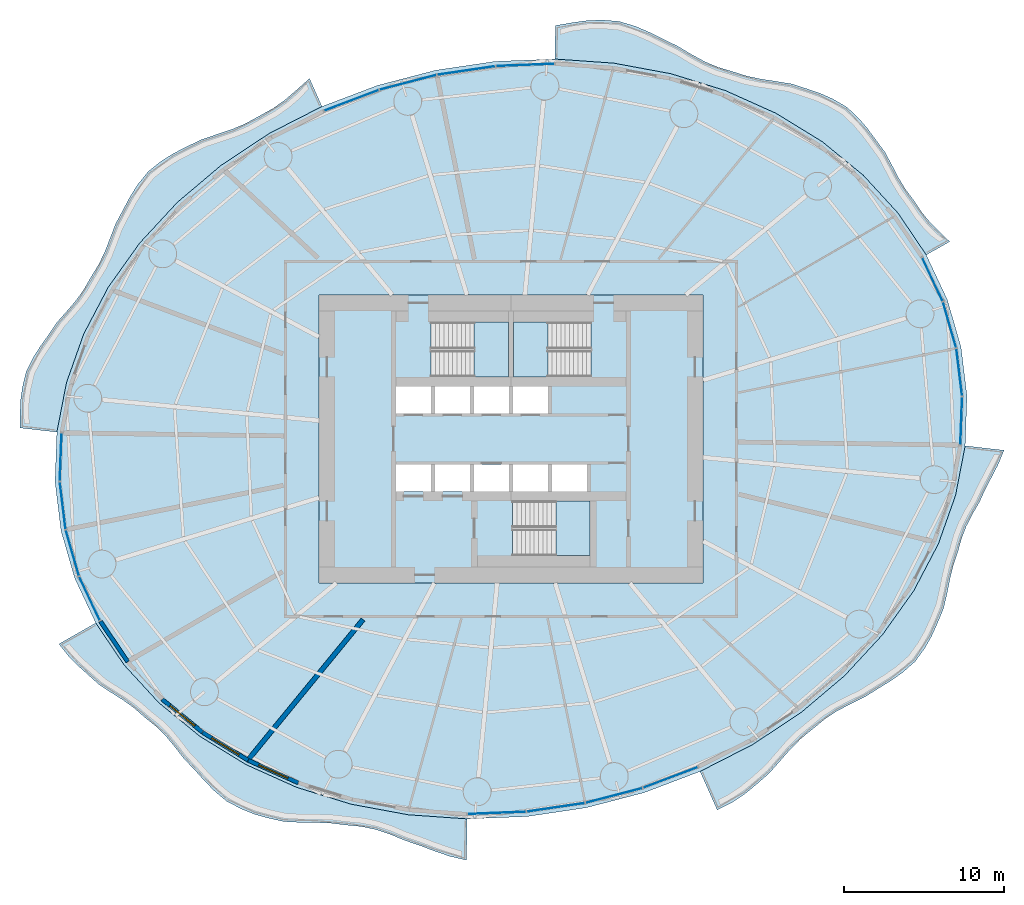
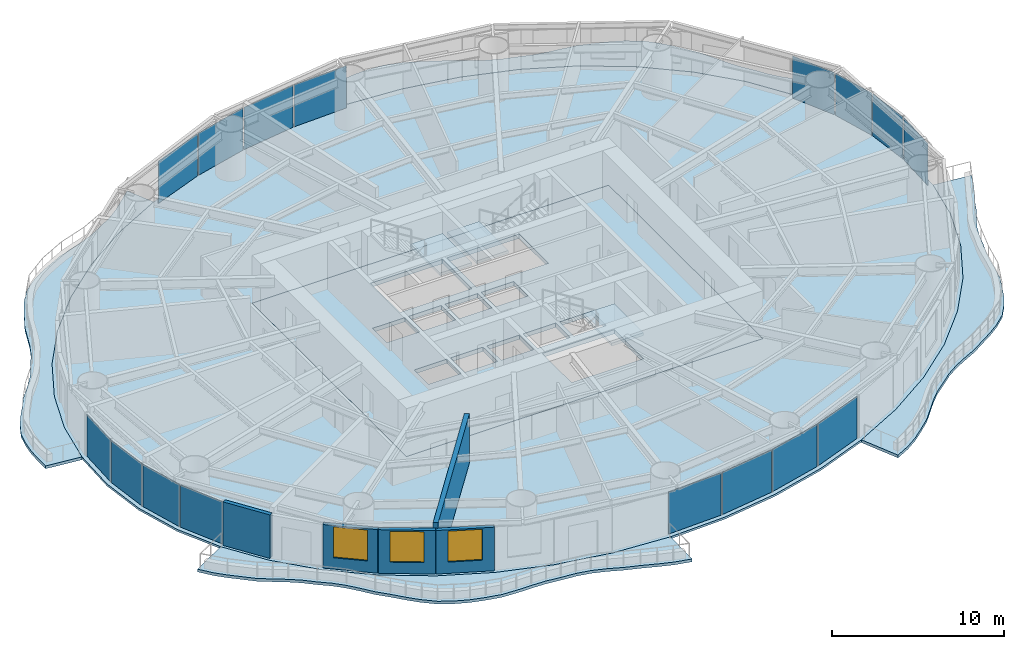
# One storey, part 7 of 16: 16 plates, 9 slabs, 5 walls, 3 windows, 3 openings, 19 elements without a shape of their own.
"""IFC4 building model written with IfcOpenShell, lengths in metres."""

from ifc_helpers import new_model, si_unit, direction, frame, frame_2d, origin, origin_2d, place, context, subcontext, project, spatial, polyline, rectangle, outline, extrude, material, layer, layer_set, type_object, element, fill, aggregate, save


model = new_model("IFC4")

# Units and contexts
model_context = context("Model", 3, precision=1e-05, world=origin(), true_north=direction((0.0, 1.0)))
body_context = subcontext(model_context, "Body", "Model", "MODEL_VIEW")
ifc_project = project(units=[si_unit("LENGTHUNIT", "METRE"), si_unit("AREAUNIT", "SQUARE_METRE"), si_unit("VOLUMEUNIT", "CUBIC_METRE"), si_unit("PLANEANGLEUNIT", "RADIAN"), si_unit("MASSUNIT", "GRAM", prefix="KILO")], contexts=[model_context])

# Site, building, storey
site_placement = place(None, origin())
site = spatial("IfcSite", under=ifc_project, at=site_placement, CompositionType="ELEMENT")
building_placement = place(site_placement, origin())
building = spatial("IfcBuilding", under=site, at=building_placement, Name="Vermilion Reach Broadcast Tower", CompositionType="ELEMENT")
storey_placement = place(building_placement, frame((0.0, 0.0, 80.39990234375)))
storey = spatial("IfcBuildingStorey", under=building, at=storey_placement, Name="L17", CompositionType="ELEMENT", Elevation=80.39990234375)

# Slabs
ifc_material_1 = material(Name="Concrete C40/50", Category="concrete")
ifc_layer_1 = layer(ifc_material_1, 0.199951171875)
ifc_layer_set_1 = layer_set([ifc_layer_1], Name="Balcony slab 200")
slab_type_1 = type_object("IfcSlabType", Name="Balcony slab 200", PredefinedType="FLOOR", material=ifc_layer_set_1)
placement_1 = place(storey_placement, frame((0.0, 0.0, -0.199951171875)))
element("IfcSlab", 1, at=placement_1, inside=storey, type_object=slab_type_1, Name="Balcony slab L17 group 1", PredefinedType="FLOOR", context=body_context, shape_type="SweptSolid", body=[
    extrude(outline(polyline([(19.962890625, 11.50732421875), (18.19775390625, 14.1220703125), (16.0185546875, 16.495361328125), (13.46240234375, 18.58642578125), (10.573486328125, 20.359375), (7.40087890625, 21.783935546875), (3.9990234375, 22.8359375), (0.42626953125, 23.4970703125), (-3.256591796875, 23.756103515625), (-3.224609375, 25.848388671875), (-2.171142578125, 26.03271484375), (-1.23681640625, 26.16162109375), (-0.30908203125, 26.196044921875), (0.7587890625, 26.110107421875), (1.776611328125, 25.802734375), (2.6328125, 25.436279296875), (3.478759765625, 25.015625), (4.423828125, 24.560791015625), (5.301513671875, 24.03466796875), (6.0986328125, 23.598876953125), (6.922119140625, 23.248779296875), (7.850341796875, 22.97412109375), (8.759033203125, 22.68603515625), (9.63037109375, 22.50390625), (10.523681640625, 22.370849609375), (11.546875, 22.20068359375), (12.508544921875, 21.89208984375), (13.330322265625, 21.611083984375), (14.112548828125, 21.265625), (14.999755859375, 20.74853515625), (15.73486328125, 20.06005859375), (16.27978515625, 19.42236328125), (16.78564453125, 18.737060546875), (17.378662109375, 17.935546875), (17.840087890625, 17.074462890625), (18.225830078125, 16.335205078125), (18.650634765625, 15.631591796875), (19.192626953125, 14.90771484375), (19.680908203125, 14.171875), (20.18359375, 13.5595703125), (20.74658203125, 12.98779296875), (21.427978515625, 12.33935546875), (19.962890625, 11.50732421875)])), origin(), (0.0, 0.0, 1.0), 0.199951171875),
])
element("IfcSlab", 2, at=placement_1, inside=storey, type_object=slab_type_1, Name="Balcony slab L17 group 2", PredefinedType="FLOOR", context=body_context, shape_type="SweptSolid", body=[
    extrude(outline(polyline([(-17.822021484375, 20.78759765625), (-21.109619140625, 19.107666015625), (-24.138916015625, 17.100830078125), (-26.857666015625, 14.801513671875), (-29.2197265625, 12.2490234375), (-31.184326171875, 9.486572265625), (-32.718017578125, 6.562255859375), (-33.79443359375, 3.525390625), (-34.3955078125, 0.42822265625), (-36.701416015625, 0.693115234375), (-36.694091796875, 1.677734375), (-36.658203125, 2.47412109375), (-36.546142578125, 3.255859375), (-36.316650390625, 4.212890625), (-35.8662109375, 5.1142578125), (-35.419189453125, 5.810546875), (-34.9326171875, 6.49267578125), (-34.389404296875, 7.292236328125), (-33.738525390625, 8.029541015625), (-33.189208984375, 8.673828125), (-32.702880859375, 9.350830078125), (-32.2529296875, 10.142822265625), (-31.76318359375, 10.938232421875), (-31.392578125, 11.714599609375), (-31.07568359375, 12.529296875), (-30.717529296875, 13.46630859375), (-30.234375, 14.372314453125), (-29.810546875, 15.164794921875), (-29.33837890625, 15.912353515625), (-28.69091796875, 16.71826171875), (-27.868896484375, 17.375732421875), (-27.106201171875, 17.8525390625), (-26.291748046875, 18.267822265625), (-25.354736328125, 18.721923828125), (-24.34716796875, 19.060302734375), (-23.45556640625, 19.359130859375), (-22.60205078125, 19.715576171875), (-21.74267578125, 20.191162109375), (-20.8720703125, 20.671142578125), (-20.11279296875, 21.213623046875), (-19.39208984375, 21.83154296875), (-18.599853515625, 22.541015625), (-17.822021484375, 20.78759765625)])), origin(), (0.0, 0.0, 1.0), 0.199951171875),
])
element("IfcSlab", 3, at=placement_1, inside=storey, type_object=slab_type_1, Name="Balcony slab L17 group 3", PredefinedType="FLOOR", context=body_context, shape_type="SweptSolid", body=[
    extrude(outline(polyline([(-31.962890625, -11.50732421875), (-30.19775390625, -14.1220703125), (-28.0185546875, -16.495361328125), (-25.46240234375, -18.58642578125), (-22.573486328125, -20.359375), (-19.40087890625, -21.783935546875), (-15.9990234375, -22.8359375), (-12.42626953125, -23.4970703125), (-8.743408203125, -23.756103515625), (-8.782958984375, -26.33837890625), (-9.8330078125, -26.093017578125), (-10.736572265625, -25.784423828125), (-11.6376953125, -25.442138671875), (-12.630615234375, -25.103515625), (-13.5751953125, -24.71337890625), (-14.445068359375, -24.4228515625), (-15.334228515625, -24.23486328125), (-16.31982421875, -24.138671875), (-17.296875, -24.019775390625), (-18.21826171875, -23.98583984375), (-19.148193359375, -23.97998046875), (-20.208251953125, -23.922607421875), (-21.212646484375, -23.696044921875), (-22.058349609375, -23.45703125), (-22.865478515625, -23.1318359375), (-23.783203125, -22.64794921875), (-24.568115234375, -21.989501953125), (-25.177490234375, -21.3623046875), (-25.76806640625, -20.704345703125), (-26.456298828125, -19.984130859375), (-27.0478515625, -19.220458984375), (-27.586669921875, -18.5751953125), (-28.175537109375, -17.990966796875), (-28.890380859375, -17.418701171875), (-29.5654296875, -16.822265625), (-30.232666015625, -16.34130859375), (-30.937744140625, -15.895263671875), (-31.761962890625, -15.357177734375), (-32.47998046875, -14.711181640625), (-33.088623046875, -14.17041015625), (-33.651123046875, -13.5986328125), (-34.26806640625, -12.81640625), (-31.962890625, -11.50732421875)])), origin(), (0.0, 0.0, 1.0), 0.199951171875),
])
element("IfcSlab", 4, at=placement_1, inside=storey, type_object=slab_type_1, Name="Balcony slab L17 group 4", PredefinedType="FLOOR", context=body_context, shape_type="SweptSolid", body=[
    extrude(outline(polyline([(5.822021484375, -20.78759765625), (9.109619140625, -19.107666015625), (12.138916015625, -17.100830078125), (14.857666015625, -14.801513671875), (17.2197265625, -12.2490234375), (19.184326171875, -9.486572265625), (20.718017578125, -6.562255859375), (21.79443359375, -3.525390625), (22.3955078125, -0.42822265625), (24.823486328125, -0.70703125), (24.442626953125, -1.62890625), (24.064453125, -2.35888671875), (23.6796875, -3.087646484375), (23.294189453125, -3.93408203125), (22.822998046875, -4.74462890625), (22.45654296875, -5.46923828125), (22.16796875, -6.2216796875), (21.928466796875, -7.0908203125), (21.631103515625, -7.97314453125), (21.4326171875, -8.80126953125), (21.265625, -9.64599609375), (21.0341796875, -10.622314453125), (20.64208984375, -11.5634765625), (20.28662109375, -12.3505859375), (19.864013671875, -13.08984375), (19.26708984375, -13.912841796875), (18.484130859375, -14.603515625), (17.756103515625, -15.1142578125), (16.987060546875, -15.58740234375), (16.126953125, -16.128662109375), (15.198486328125, -16.5830078125), (14.39111328125, -17.0068359375), (13.638427734375, -17.49560546875), (12.89501953125, -18.10888671875), (12.12841796875, -18.72998046875), (11.474365234375, -19.387451171875), (10.85546875, -20.09814453125), (10.1533203125, -20.89404296875), (9.346435546875, -21.599609375), (8.615966796875, -22.19873046875), (7.843505859375, -22.71533203125), (6.89208984375, -23.199951171875), (5.822021484375, -20.78759765625)])), origin(), (0.0, 0.0, 1.0), 0.199951171875),
])
ifc_material_2 = material(Name="Concrete C40", Category="concrete")
ifc_layer_2 = layer(ifc_material_2, 0.300048828125)
ifc_layer_set_2 = layer_set([ifc_layer_2], Name="Core floor slab 300 mm Concrete C40")
slab_type_2 = type_object("IfcSlabType", Name="Core floor slab 300 mm Concrete C40", PredefinedType="FLOOR", material=ifc_layer_set_2)
slab_5_placement = place(storey_placement, frame((0.0, 0.0, -0.2998046875)))
element("IfcSlab", 5, at=slab_5_placement, inside=storey, type_object=slab_type_2, Name="L17 core floor", PredefinedType="FLOOR", context=body_context, shape_type="SweptSolid", body=[
    extrude(outline(polyline([(-18.0, -9.0), (6.0, -9.0), (6.0, 9.0), (-18.0, 9.0), (-18.0, -9.0)]), holes=[polyline([(-13.199951171875, 1.60009765625), (-11.00830078125, 1.60009765625), (-11.00830078125, 3.280029296875), (-13.199951171875, 3.280029296875), (-13.199951171875, 1.60009765625)]), polyline([(-10.75830078125, 1.60009765625), (-8.566650390625, 1.60009765625), (-8.566650390625, 3.280029296875), (-10.75830078125, 3.280029296875), (-10.75830078125, 1.60009765625)]), polyline([(-8.316650390625, 1.60009765625), (-6.125, 1.60009765625), (-6.125, 3.280029296875), (-8.316650390625, 3.280029296875), (-8.316650390625, 1.60009765625)]), polyline([(-5.875, 1.60009765625), (-3.683349609375, 1.60009765625), (-3.683349609375, 3.280029296875), (-5.875, 3.280029296875), (-5.875, 1.60009765625)]), polyline([(-13.199951171875, -3.280029296875), (-11.00830078125, -3.280029296875), (-11.00830078125, -1.60009765625), (-13.199951171875, -1.60009765625), (-13.199951171875, -3.280029296875)]), polyline([(-10.75830078125, -3.280029296875), (-8.566650390625, -3.280029296875), (-8.566650390625, -1.60009765625), (-10.75830078125, -1.60009765625), (-10.75830078125, -3.280029296875)]), polyline([(-8.316650390625, -3.280029296875), (-6.125, -3.280029296875), (-6.125, -1.60009765625), (-8.316650390625, -1.60009765625), (-8.316650390625, -3.280029296875)]), polyline([(-5.875, -3.280029296875), (-3.683349609375, -3.280029296875), (-3.683349609375, -1.60009765625), (-5.875, -1.60009765625), (-5.875, -3.280029296875)]), polyline([(-3.433349609375, -3.280029296875), (-1.24169921875, -3.280029296875), (-1.24169921875, -1.60009765625), (-3.433349609375, -1.60009765625), (-3.433349609375, -3.280029296875)]), polyline([(-10.999267578125, 3.8798828125), (-6.14990234375, 3.8798828125), (-6.14990234375, 7.300048828125), (-10.999267578125, 7.300048828125), (-10.999267578125, 3.8798828125)]), polyline([(-1.000732421875, 7.300048828125), (-5.85009765625, 7.300048828125), (-5.85009765625, 3.8798828125), (-1.000732421875, 3.8798828125), (-1.000732421875, 7.300048828125)]), polyline([(-5.8994140625, -7.300048828125), (-1.050048828125, -7.300048828125), (-1.050048828125, -3.8798828125), (-5.8994140625, -3.8798828125), (-5.8994140625, -7.300048828125)])]), origin(), (0.0, 0.0, 1.0), 0.2998046875),
])

# Stair, slab
ifc_material_3 = material(Name="Concrete C40", Category="concrete")
stair_type = type_object("IfcStairType", Name="Exit stair RC 22 risers 168 mm", PredefinedType="HALF_TURN_STAIR", material=ifc_material_3)
placement_2 = place(storey_placement, origin())
stair_1 = element("IfcStair", 6, at=placement_2, inside=storey, type_object=stair_type, Name="L17 Exit stair ST1", PredefinedType="HALF_TURN_STAIR")
ifc_material_4 = material(Name="Concrete C40", Category="concrete")
ifc_layer_3 = layer(ifc_material_4, 0.199951171875)
ifc_layer_set_3 = layer_set([ifc_layer_3], Name="Exit stair landing Concrete C40")
slab_type_3 = type_object("IfcSlabType", Name="Exit stair landing Concrete C40", PredefinedType="LANDING", material=ifc_layer_set_3)
placement_3 = place(storey_placement, frame((0.0, 0.0, 1.650146484375)))
slab_6 = element("IfcSlab", 7, at=placement_3, type_object=slab_type_3, Name="ST1 landing 1", PredefinedType="LANDING", context=body_context, shape_type="SweptSolid", body=[
    extrude(outline(polyline([(-8.300048828125, 3.8798828125), (-6.14990234375, 3.8798828125), (-6.14990234375, 7.300048828125), (-8.300048828125, 7.300048828125), (-8.300048828125, 3.8798828125)])), origin(), (0.0, 0.0, 1.0), 0.199951171875),
])
aggregate(stair_1, [slab_6])

stair_2 = element("IfcStair", 8, at=placement_2, inside=storey, type_object=stair_type, Name="L17 Exit stair ST2", PredefinedType="HALF_TURN_STAIR")
slab_7 = element("IfcSlab", 9, at=placement_3, type_object=slab_type_3, Name="ST2 landing 1", PredefinedType="LANDING", context=body_context, shape_type="SweptSolid", body=[
    extrude(outline(polyline([(-3.699951171875, 7.300048828125), (-5.85009765625, 7.300048828125), (-5.85009765625, 3.8798828125), (-3.699951171875, 3.8798828125), (-3.699951171875, 7.300048828125)])), origin(), (0.0, 0.0, 1.0), 0.199951171875),
])
aggregate(stair_2, [slab_7])

stair_3 = element("IfcStair", 10, at=placement_2, inside=storey, type_object=stair_type, Name="L17 Exit stair ST3", PredefinedType="HALF_TURN_STAIR")
slab_8 = element("IfcSlab", 11, at=placement_3, type_object=slab_type_3, Name="ST3 landing 1", PredefinedType="LANDING", context=body_context, shape_type="SweptSolid", body=[
    extrude(outline(polyline([(-3.199951171875, -7.300048828125), (-1.050048828125, -7.300048828125), (-1.050048828125, -3.8798828125), (-3.199951171875, -3.8798828125), (-3.199951171875, -7.300048828125)])), origin(), (0.0, 0.0, 1.0), 0.199951171875),
])
aggregate(stair_3, [slab_8])

# Slab
ifc_material_5 = material(Name="Concrete C40", Category="concrete")
ifc_layer_4 = layer(ifc_material_5, 0.14990234375)
ifc_layer_set_4 = layer_set([ifc_layer_4], Name="Floor slab Concrete C40 composite 150")
slab_type_4 = type_object("IfcSlabType", Name="Floor slab Concrete C40 composite 150", PredefinedType="FLOOR", material=ifc_layer_set_4)
slab_9_placement = place(storey_placement, frame((0.0, 0.0, -0.14990234375)))
element("IfcSlab", 12, at=slab_9_placement, inside=storey, type_object=slab_type_4, Name="Floor slab L17", PredefinedType="FLOOR", context=body_context, shape_type="SweptSolid", body=[
    extrude(outline(polyline([(22.137939453125, 5.73486328125), (21.283935546875, 8.695556640625), (19.962890625, 11.50732421875), (18.19775390625, 14.1220703125), (16.0185546875, 16.495361328125), (13.46240234375, 18.58642578125), (10.573486328125, 20.359375), (7.40087890625, 21.783935546875), (3.9990234375, 22.8359375), (0.42626953125, 23.4970703125), (-3.256591796875, 23.756103515625), (-6.986572265625, 23.60888671875), (-10.699462890625, 23.0576171875), (-14.33203125, 22.11181640625), (-17.822021484375, 20.78759765625), (-21.109619140625, 19.107666015625), (-24.138916015625, 17.100830078125), (-26.857666015625, 14.801513671875), (-29.2197265625, 12.2490234375), (-31.184326171875, 9.486572265625), (-32.718017578125, 6.562255859375), (-33.79443359375, 3.525390625), (-34.3955078125, 0.42822265625), (-34.5107421875, -2.67626953125), (-34.137939453125, -5.73486328125), (-33.283935546875, -8.695556640625), (-31.962890625, -11.50732421875), (-30.19775390625, -14.1220703125), (-28.0185546875, -16.495361328125), (-25.46240234375, -18.58642578125), (-22.573486328125, -20.359375), (-19.40087890625, -21.783935546875), (-15.9990234375, -22.8359375), (-12.42626953125, -23.4970703125), (-8.743408203125, -23.756103515625), (-5.013427734375, -23.60888671875), (-1.300537109375, -23.0576171875), (2.33203125, -22.11181640625), (5.822021484375, -20.78759765625), (9.109619140625, -19.107666015625), (12.138916015625, -17.100830078125), (14.857666015625, -14.801513671875), (17.2197265625, -12.2490234375), (19.184326171875, -9.486572265625), (20.718017578125, -6.562255859375), (21.79443359375, -3.525390625), (22.3955078125, -0.42822265625), (22.5107421875, 2.67626953125), (22.137939453125, 5.73486328125)]), holes=[polyline([(-18.0, -9.0), (6.0, -9.0), (6.0, 9.0), (-18.0, 9.0), (-18.0, -9.0)])]), origin(), (0.0, 0.0, 1.0), 0.14990234375),
])

# Curtain wall, plate
ifc_material_6 = material(Name="Low-e laminated clear glass in aluminium frame", Category="aluminium")
curtain_wall_type = type_object("IfcCurtainWallType", Name="Slot curtain wall", PredefinedType="NOTDEFINED", material=ifc_material_6)
curtain_wall_1 = element("IfcCurtainWall", 13, at=placement_2, inside=storey, type_object=curtain_wall_type, Name="Slot curtain wall L17 46", PredefinedType="NOTDEFINED")
ifc_material_7 = material(Name="Low-e laminated clear glass", Category="glass")
ifc_layer_5 = layer(ifc_material_7, 0.028076171875)
ifc_layer_set_5 = layer_set([ifc_layer_5], Name="Slot glass panel")
plate_type = type_object("IfcPlateType", Name="Slot glass panel", PredefinedType="CURTAIN_PANEL", material=ifc_layer_set_5)
plate_1_placement = place(storey_placement, frame((22.154296875, 1.135009765625, 0.0), z_axis=(0.0, 0.0, 1.0), x_axis=(0.037071135783, 0.999312629207, 0.0)))
plate_1 = element("IfcPlate", 14, at=plate_1_placement, type_object=plate_type, Name="Slot glass panel L17 46", PredefinedType="CURTAIN_PANEL", context=body_context, shape_type="SweptSolid", body=[
    extrude(rectangle(XDim=2.979736328125, YDim=0.028076171875, at=origin_2d()), origin(), (0.0, 0.0, 1.0), 3.0),
])
aggregate(curtain_wall_1, [plate_1])

curtain_wall_2 = element("IfcCurtainWall", 15, at=placement_2, inside=storey, type_object=curtain_wall_type, Name="Slot curtain wall L17 47", PredefinedType="NOTDEFINED")
plate_2_placement = place(storey_placement, frame((22.027587890625, 4.16943359375, 0.0), z_axis=(0.0, 0.0, 1.0), x_axis=(-0.120947066754, 0.992658958074, 0.0)))
plate_2 = element("IfcPlate", 16, at=plate_2_placement, type_object=plate_type, Name="Slot glass panel L17 47", PredefinedType="CURTAIN_PANEL", context=body_context, shape_type="SweptSolid", body=[
    extrude(rectangle(XDim=2.95361328125, YDim=0.028076171875, at=origin_2d()), origin(), (0.0, 0.0, 1.0), 3.0),
])
aggregate(curtain_wall_2, [plate_2])

curtain_wall_3 = element("IfcCurtainWall", 17, at=placement_2, inside=storey, type_object=curtain_wall_type, Name="Slot curtain wall L17 00", PredefinedType="NOTDEFINED")
plate_3_placement = place(storey_placement, frame((21.423583984375, 7.13232421875, 0.0), z_axis=(0.0, 0.0, 1.0), x_axis=(-0.277200973894, 0.960811958747, 0.0)))
plate_3 = element("IfcPlate", 18, at=plate_3_placement, type_object=plate_type, Name="Slot glass panel L17 00", PredefinedType="CURTAIN_PANEL", context=body_context, shape_type="SweptSolid", body=[
    extrude(rectangle(XDim=2.95361328125, YDim=0.028076171875, at=origin_2d()), origin(), (0.0, 0.0, 1.0), 3.0),
])
aggregate(curtain_wall_3, [plate_3])

curtain_wall_4 = element("IfcCurtainWall", 19, at=placement_2, inside=storey, type_object=curtain_wall_type, Name="Slot curtain wall L17 01", PredefinedType="NOTDEFINED")
plate_4_placement = place(storey_placement, frame((20.3525390625, 9.974365234375, 0.0), z_axis=(0.0, 0.0, 1.0), x_axis=(-0.4252190708, 0.905090460577, 0.0)))
plate_4 = element("IfcPlate", 20, at=plate_4_placement, type_object=plate_type, Name="Slot glass panel L17 01", PredefinedType="CURTAIN_PANEL", context=body_context, shape_type="SweptSolid", body=[
    extrude(rectangle(XDim=2.979736328125, YDim=0.028076171875, at=origin_2d()), origin(), (0.0, 0.0, 1.0), 3.0),
])
aggregate(curtain_wall_4, [plate_4])

curtain_wall_5 = element("IfcCurtainWall", 21, at=placement_2, inside=storey, type_object=curtain_wall_type, Name="Slot curtain wall L17 10", PredefinedType="NOTDEFINED")
plate_5_placement = place(storey_placement, frame((-5.10986328125, 23.38330078125, 0.0), z_axis=(0.0, 0.0, 1.0), x_axis=(-0.999220479757, -0.039476991198, 0.0)))
plate_5 = element("IfcPlate", 22, at=plate_5_placement, type_object=plate_type, Name="Slot glass panel L17 10", PredefinedType="CURTAIN_PANEL", context=body_context, shape_type="SweptSolid", body=[
    extrude(rectangle(XDim=3.6201171875, YDim=0.028076171875, at=origin_2d()), origin(), (0.0, 0.0, 1.0), 3.0),
])
aggregate(curtain_wall_5, [plate_5])

curtain_wall_6 = element("IfcCurtainWall", 23, at=placement_2, inside=storey, type_object=curtain_wall_type, Name="Slot curtain wall L17 11", PredefinedType="NOTDEFINED")
plate_6_placement = place(storey_placement, frame((-8.799072265625, 23.036865234375, 0.0), z_axis=(0.0, 0.0, 1.0), x_axis=(-0.989155563459, -0.146871614953, 0.0)))
plate_6 = element("IfcPlate", 24, at=plate_6_placement, type_object=plate_type, Name="Slot glass panel L17 11", PredefinedType="CURTAIN_PANEL", context=body_context, shape_type="SweptSolid", body=[
    extrude(rectangle(XDim=3.641357421875, YDim=0.028076171875, at=origin_2d()), origin(), (0.0, 0.0, 1.0), 3.0),
])
aggregate(curtain_wall_6, [plate_6])

curtain_wall_7 = element("IfcCurtainWall", 25, at=placement_2, inside=storey, type_object=curtain_wall_type, Name="Slot curtain wall L17 12", PredefinedType="NOTDEFINED")
plate_7_placement = place(storey_placement, frame((-12.440185546875, 22.294677734375, 0.0), z_axis=(0.0, 0.0, 1.0), x_axis=(-0.967734123156, -0.251973544007, 0.0)))
plate_7 = element("IfcPlate", 26, at=plate_7_placement, type_object=plate_type, Name="Slot glass panel L17 12", PredefinedType="CURTAIN_PANEL", context=body_context, shape_type="SweptSolid", body=[
    extrude(rectangle(XDim=3.641357421875, YDim=0.028076171875, at=origin_2d()), origin(), (0.0, 0.0, 1.0), 3.0),
])
aggregate(curtain_wall_7, [plate_7])

curtain_wall_8 = element("IfcCurtainWall", 27, at=placement_2, inside=storey, type_object=curtain_wall_type, Name="Slot curtain wall L17 13", PredefinedType="NOTDEFINED")
plate_8_placement = place(storey_placement, frame((-15.970703125, 21.169677734375, 0.0), z_axis=(0.0, 0.0, 1.0), x_axis=(-0.934964796284, -0.354740510387, 0.0)))
plate_8 = element("IfcPlate", 28, at=plate_8_placement, type_object=plate_type, Name="Slot glass panel L17 13", PredefinedType="CURTAIN_PANEL", context=body_context, shape_type="SweptSolid", body=[
    extrude(rectangle(XDim=3.6201171875, YDim=0.028076171875, at=origin_2d()), origin(), (0.0, 0.0, 1.0), 3.0),
])
aggregate(curtain_wall_8, [plate_8])

curtain_wall_9 = element("IfcCurtainWall", 29, at=placement_2, inside=storey, type_object=curtain_wall_type, Name="Slot curtain wall L17 22", PredefinedType="NOTDEFINED")
plate_9_placement = place(storey_placement, frame((-34.154296875, -1.135009765625, 0.0), z_axis=(0.0, 0.0, 1.0), x_axis=(-0.037071135783, -0.999312629207, 0.0)))
plate_9 = element("IfcPlate", 30, at=plate_9_placement, type_object=plate_type, Name="Slot glass panel L17 22", PredefinedType="CURTAIN_PANEL", context=body_context, shape_type="SweptSolid", body=[
    extrude(rectangle(XDim=2.979736328125, YDim=0.028076171875, at=origin_2d()), origin(), (0.0, 0.0, 1.0), 3.0),
])
aggregate(curtain_wall_9, [plate_9])

curtain_wall_10 = element("IfcCurtainWall", 31, at=placement_2, inside=storey, type_object=curtain_wall_type, Name="Slot curtain wall L17 23", PredefinedType="NOTDEFINED")
plate_10_placement = place(storey_placement, frame((-34.027587890625, -4.16943359375, 0.0), z_axis=(0.0, 0.0, 1.0), x_axis=(0.120947066754, -0.992658958074, 0.0)))
plate_10 = element("IfcPlate", 32, at=plate_10_placement, type_object=plate_type, Name="Slot glass panel L17 23", PredefinedType="CURTAIN_PANEL", context=body_context, shape_type="SweptSolid", body=[
    extrude(rectangle(XDim=2.95361328125, YDim=0.028076171875, at=origin_2d()), origin(), (0.0, 0.0, 1.0), 3.0),
])
aggregate(curtain_wall_10, [plate_10])

curtain_wall_11 = element("IfcCurtainWall", 33, at=placement_2, inside=storey, type_object=curtain_wall_type, Name="Slot curtain wall L17 24", PredefinedType="NOTDEFINED")
plate_11_placement = place(storey_placement, frame((-33.423583984375, -7.13232421875, 0.0), z_axis=(0.0, 0.0, 1.0), x_axis=(0.277200973894, -0.960811958747, 0.0)))
plate_11 = element("IfcPlate", 34, at=plate_11_placement, type_object=plate_type, Name="Slot glass panel L17 24", PredefinedType="CURTAIN_PANEL", context=body_context, shape_type="SweptSolid", body=[
    extrude(rectangle(XDim=2.95361328125, YDim=0.028076171875, at=origin_2d()), origin(), (0.0, 0.0, 1.0), 3.0),
])
aggregate(curtain_wall_11, [plate_11])

curtain_wall_12 = element("IfcCurtainWall", 35, at=placement_2, inside=storey, type_object=curtain_wall_type, Name="Slot curtain wall L17 25", PredefinedType="NOTDEFINED")
plate_12_placement = place(storey_placement, frame((-32.3525390625, -9.974365234375, 0.0), z_axis=(0.0, 0.0, 1.0), x_axis=(0.4252190708, -0.905090460577, 0.0)))
plate_12 = element("IfcPlate", 36, at=plate_12_placement, type_object=plate_type, Name="Slot glass panel L17 25", PredefinedType="CURTAIN_PANEL", context=body_context, shape_type="SweptSolid", body=[
    extrude(rectangle(XDim=2.979736328125, YDim=0.028076171875, at=origin_2d()), origin(), (0.0, 0.0, 1.0), 3.0),
])
aggregate(curtain_wall_12, [plate_12])

curtain_wall_13 = element("IfcCurtainWall", 37, at=placement_2, inside=storey, type_object=curtain_wall_type, Name="Slot curtain wall L17 34", PredefinedType="NOTDEFINED")
plate_13_placement = place(storey_placement, frame((-6.89013671875, -23.38330078125, 0.0), z_axis=(0.0, 0.0, 1.0), x_axis=(0.999220479757, 0.039476991198, 0.0)))
plate_13 = element("IfcPlate", 38, at=plate_13_placement, type_object=plate_type, Name="Slot glass panel L17 34", PredefinedType="CURTAIN_PANEL", context=body_context, shape_type="SweptSolid", body=[
    extrude(rectangle(XDim=3.6201171875, YDim=0.028076171875, at=origin_2d()), origin(), (0.0, 0.0, 1.0), 3.0),
])
aggregate(curtain_wall_13, [plate_13])

curtain_wall_14 = element("IfcCurtainWall", 39, at=placement_2, inside=storey, type_object=curtain_wall_type, Name="Slot curtain wall L17 35", PredefinedType="NOTDEFINED")
plate_14_placement = place(storey_placement, frame((-3.200927734375, -23.036865234375, 0.0), z_axis=(0.0, 0.0, 1.0), x_axis=(0.989155563459, 0.146871614953, 0.0)))
plate_14 = element("IfcPlate", 40, at=plate_14_placement, type_object=plate_type, Name="Slot glass panel L17 35", PredefinedType="CURTAIN_PANEL", context=body_context, shape_type="SweptSolid", body=[
    extrude(rectangle(XDim=3.641357421875, YDim=0.028076171875, at=origin_2d()), origin(), (0.0, 0.0, 1.0), 3.0),
])
aggregate(curtain_wall_14, [plate_14])

curtain_wall_15 = element("IfcCurtainWall", 41, at=placement_2, inside=storey, type_object=curtain_wall_type, Name="Slot curtain wall L17 36", PredefinedType="NOTDEFINED")
plate_15_placement = place(storey_placement, frame((0.440185546875, -22.294677734375, 0.0), z_axis=(0.0, 0.0, 1.0), x_axis=(0.967734123156, 0.251973544007, 0.0)))
plate_15 = element("IfcPlate", 42, at=plate_15_placement, type_object=plate_type, Name="Slot glass panel L17 36", PredefinedType="CURTAIN_PANEL", context=body_context, shape_type="SweptSolid", body=[
    extrude(rectangle(XDim=3.641357421875, YDim=0.028076171875, at=origin_2d()), origin(), (0.0, 0.0, 1.0), 3.0),
])
aggregate(curtain_wall_15, [plate_15])

curtain_wall_16 = element("IfcCurtainWall", 43, at=placement_2, inside=storey, type_object=curtain_wall_type, Name="Slot curtain wall L17 37", PredefinedType="NOTDEFINED")
plate_16_placement = place(storey_placement, frame((3.970703125, -21.169677734375, 0.0), z_axis=(0.0, 0.0, 1.0), x_axis=(0.934964796284, 0.354740510387, 0.0)))
plate_16 = element("IfcPlate", 44, at=plate_16_placement, type_object=plate_type, Name="Slot glass panel L17 37", PredefinedType="CURTAIN_PANEL", context=body_context, shape_type="SweptSolid", body=[
    extrude(rectangle(XDim=3.6201171875, YDim=0.028076171875, at=origin_2d()), origin(), (0.0, 0.0, 1.0), 3.0),
])
aggregate(curtain_wall_16, [plate_16])

# Walls
ifc_material_8 = material(Name="Double-leaf plasterboard on isolated steel stud", Category="steel")
ifc_layer_6 = layer(ifc_material_8, 0.300048828125)
ifc_layer_set_6 = layer_set([ifc_layer_6], Name="Partition 300 acoustic double leaf")
wall_type_1 = type_object("IfcWallType", Name="Partition 300 acoustic double leaf", PredefinedType="PARTITIONING", material=ifc_layer_set_6)
wall_1_placement = place(storey_placement, frame((-22.375244140625, -19.9833984375, 0.0), z_axis=(0.0, 0.0, 1.0), x_axis=(0.633828209526, 0.773473852699, 0.0)))
element("IfcWall", 45, at=wall_1_placement, inside=storey, type_object=wall_type_1, Name="Partition 17.11", PredefinedType="PARTITIONING", context=body_context, shape_type="SweptSolid", body=[
    extrude(rectangle(XDim=11.232666015625, YDim=0.300048828125, at=frame_2d((5.6162109375, 0.0))), origin(), (0.0, 0.0, 1.0), 3.5),
])
ifc_material_9 = material(Name="Terracotta rainscreen cladding", Category="masonry")
ifc_layer_7 = layer(ifc_material_9, 0.25)
ifc_layer_set_7 = layer_set([ifc_layer_7], Name="Terracotta rainscreen wall 250")
wall_type_2 = type_object("IfcWallType", Name="Terracotta rainscreen wall 250", PredefinedType="SOLIDWALL", material=ifc_layer_set_7)
wall_2_placement = place(storey_placement, frame((-31.67138671875, -11.404541015625, 0.0), z_axis=(0.0, 0.0, 1.0), x_axis=(0.559489400894, -0.828837505357, 0.0)))
element("IfcWall", 46, at=wall_2_placement, inside=storey, type_object=wall_type_2, Name="External wall L17 26", PredefinedType="SOLIDWALL", context=body_context, shape_type="SweptSolid", body=[
    extrude(rectangle(XDim=3.041015625, YDim=0.25, at=frame_2d((1.5205078125, 0.0))), origin(), (0.0, 0.0, 1.0), 3.10009765625),
])

# Wall, opening, window
wall_3_placement = place(storey_placement, frame((-27.802734375, -16.285400390625, 0.0), z_axis=(0.0, 0.0, 1.0), x_axis=(0.774034625391, -0.633143268697, 0.0)))
wall_3 = element("IfcWall", 47, at=wall_3_placement, inside=storey, type_object=wall_type_2, Name="External wall L17 28", PredefinedType="SOLIDWALL", context=body_context, shape_type="SweptSolid", body=[
    extrude(rectangle(XDim=3.235107421875, YDim=0.25, at=frame_2d((1.61767578125, 0.0))), origin(), (0.0, 0.0, 1.0), 3.10009765625),
])
opening_1_placement = place(wall_3_placement, frame((0.61767578125, 0.0, 0.800048828125)))
opening_1 = element("IfcOpeningElement", 48, at=opening_1_placement, cuts=wall_3, Name="Opening W01", PredefinedType="OPENING", context=body_context, shape_type="SweptSolid", body=[
    extrude(rectangle(XDim=2.0, YDim=2.199951171875, at=frame_2d((1.0, 1.10009765625))), frame((0.0, 0.135009765625, 0.0), z_axis=(0.0, -1.0, 0.0), x_axis=(1.0, 0.0, 0.0)), (0.0, 0.0, 1.0), 0.27001953125),
])
ifc_material_10 = material(Name="Low-e laminated clear glass in aluminium frame", Category="aluminium")
window_type = type_object("IfcWindowType", Name="Punched window 2000 x 2200 sill 800", PartitioningType="SINGLE_PANEL", PredefinedType="WINDOW", material=ifc_material_10)
window_1_placement = place(opening_1_placement, origin())
window_1 = element("IfcWindow", 49, at=window_1_placement, inside=storey, type_object=window_type, Name="Window L17 28", OverallHeight=2.199951171875, OverallWidth=2.0, PartitioningType="SINGLE_PANEL", PredefinedType="WINDOW", context=body_context, shape_type="SweptSolid", body=[
    extrude(rectangle(XDim=2.0, YDim=2.199951171875, at=frame_2d((1.0, 1.10009765625))), frame((0.0, 0.030029296875, 0.0), z_axis=(0.0, -1.0, 0.0), x_axis=(1.0, 0.0, 0.0)), (0.0, 0.0, 1.0), 0.06005859375),
])
fill(opening_1, window_1)

wall_4_placement = place(storey_placement, frame((-25.2783203125, -18.34814453125, 0.0), z_axis=(0.0, 0.0, 1.0), x_axis=(0.85230041537, -0.523052580492, 0.0)))
wall_4 = element("IfcWall", 50, at=wall_4_placement, inside=storey, type_object=wall_type_2, Name="External wall L17 29", PredefinedType="SOLIDWALL", context=body_context, shape_type="SweptSolid", body=[
    extrude(rectangle(XDim=3.32568359375, YDim=0.25, at=frame_2d((1.662841796875, 0.0))), origin(), (0.0, 0.0, 1.0), 3.10009765625),
])
opening_2_placement = place(wall_4_placement, frame((0.662841796875, 0.0, 0.800048828125)))
opening_2 = element("IfcOpeningElement", 51, at=opening_2_placement, cuts=wall_4, Name="Opening W01", PredefinedType="OPENING", context=body_context, shape_type="SweptSolid", body=[
    extrude(rectangle(XDim=2.0, YDim=2.199951171875, at=frame_2d((1.0, 1.10009765625))), frame((0.0, 0.135009765625, 0.0), z_axis=(0.0, -1.0, 0.0), x_axis=(1.0, 0.0, 0.0)), (0.0, 0.0, 1.0), 0.27001953125),
])
window_2_placement = place(opening_2_placement, origin())
window_2 = element("IfcWindow", 52, at=window_2_placement, inside=storey, type_object=window_type, Name="Window L17 29", OverallHeight=2.199951171875, OverallWidth=2.0, PartitioningType="SINGLE_PANEL", PredefinedType="WINDOW", context=body_context, shape_type="SweptSolid", body=[
    extrude(rectangle(XDim=2.0, YDim=2.199951171875, at=frame_2d((1.0, 1.10009765625))), frame((0.0, 0.030029296875, 0.0), z_axis=(0.0, -1.0, 0.0), x_axis=(1.0, 0.0, 0.0)), (0.0, 0.0, 1.0), 0.06005859375),
])
fill(opening_2, window_2)

wall_5_placement = place(storey_placement, frame((-22.422607421875, -20.098876953125, 0.0), z_axis=(0.0, 0.0, 1.0), x_axis=(0.912234110734, -0.409669290055, 0.0)))
wall_5 = element("IfcWall", 53, at=wall_5_placement, inside=storey, type_object=wall_type_2, Name="External wall L17 30", PredefinedType="SOLIDWALL", context=body_context, shape_type="SweptSolid", body=[
    extrude(rectangle(XDim=3.41650390625, YDim=0.25, at=frame_2d((1.708251953125, 0.0))), origin(), (0.0, 0.0, 1.0), 3.10009765625),
])
opening_3_placement = place(wall_5_placement, frame((0.708251953125, 0.0, 0.800048828125)))
opening_3 = element("IfcOpeningElement", 54, at=opening_3_placement, cuts=wall_5, Name="Opening W01", PredefinedType="OPENING", context=body_context, shape_type="SweptSolid", body=[
    extrude(rectangle(XDim=2.0, YDim=2.199951171875, at=frame_2d((1.0, 1.10009765625))), frame((0.0, 0.135009765625, 0.0), z_axis=(0.0, -1.0, 0.0), x_axis=(1.0, 0.0, 0.0)), (0.0, 0.0, 1.0), 0.27001953125),
])
window_3_placement = place(opening_3_placement, origin())
window_3 = element("IfcWindow", 55, at=window_3_placement, inside=storey, type_object=window_type, Name="Window L17 30", OverallHeight=2.199951171875, OverallWidth=2.0, PartitioningType="SINGLE_PANEL", PredefinedType="WINDOW", context=body_context, shape_type="SweptSolid", body=[
    extrude(rectangle(XDim=2.0, YDim=2.199951171875, at=frame_2d((1.0, 1.10009765625))), frame((0.0, 0.030029296875, 0.0), z_axis=(0.0, -1.0, 0.0), x_axis=(1.0, 0.0, 0.0)), (0.0, 0.0, 1.0), 0.06005859375),
])
fill(opening_3, window_3)

save(model, "model.ifc")
